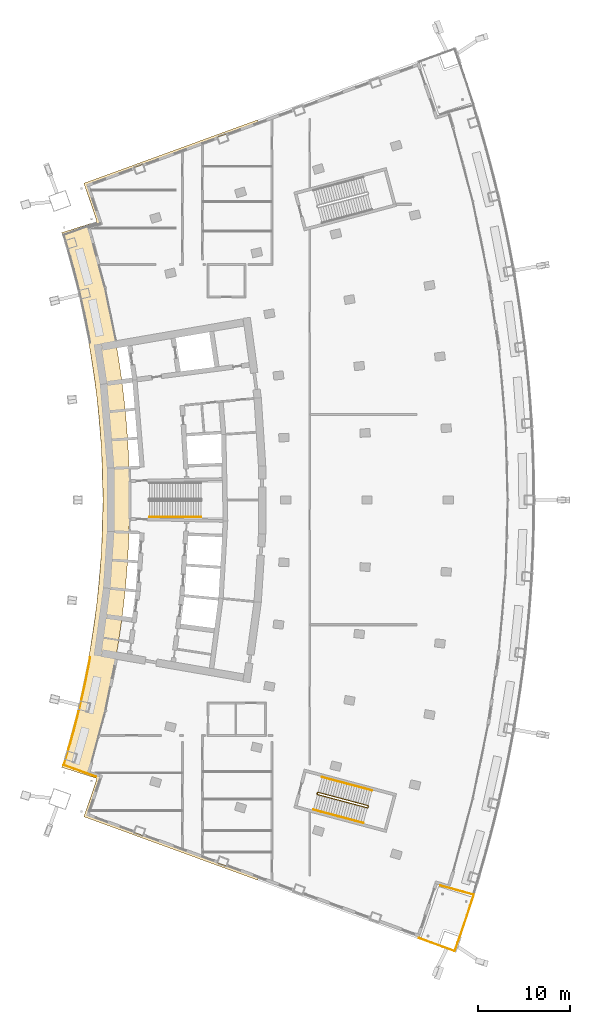
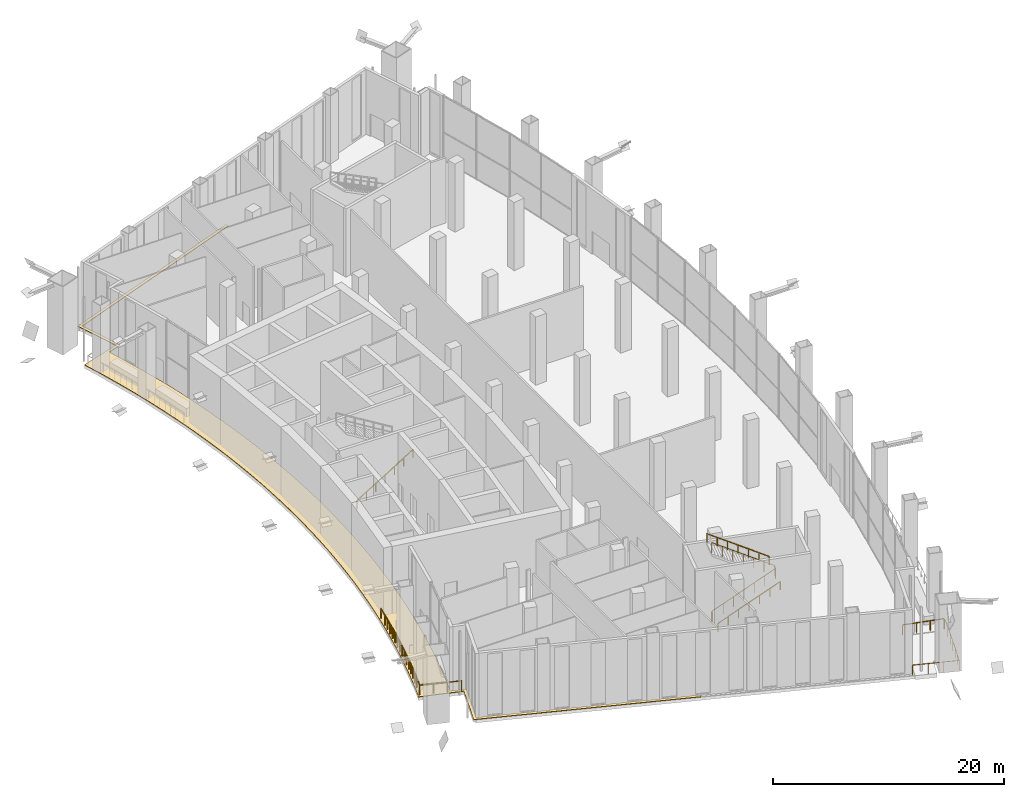
# One storey, part 23 of 27: 8 railings, 1 covering.
"""IFC4 building model written with IfcOpenShell, lengths in metres."""

from ifc_helpers import new_model, si_unit, direction, frame, origin, origin_with_axes, origin_2d, place, context, subcontext, project, spatial, polyline, rectangle, outline, extrude, material, layer, layer_set, type_object, element, save


model = new_model("IFC4")

# Units and contexts
model_context = context("Model", 3, precision=1e-05, world=origin(), true_north=direction((0.0, 1.0)))
body_context = subcontext(model_context, "Body", "Model", "MODEL_VIEW")
ifc_project = project(units=[si_unit("LENGTHUNIT", "METRE"), si_unit("AREAUNIT", "SQUARE_METRE"), si_unit("VOLUMEUNIT", "CUBIC_METRE"), si_unit("PLANEANGLEUNIT", "RADIAN"), si_unit("MASSUNIT", "GRAM", prefix="KILO")], contexts=[model_context])

# Site, building, storey
site_placement = place(None, origin())
site = spatial("IfcSite", under=ifc_project, at=site_placement, CompositionType="ELEMENT")
building_placement = place(site_placement, origin())
building = spatial("IfcBuilding", under=site, at=building_placement, Name="Alderwake Tower", CompositionType="ELEMENT")
storey_placement = place(building_placement, frame((0.0, 0.0, 75.199951171875)))
storey = spatial("IfcBuildingStorey", under=building, at=storey_placement, Name="L18", CompositionType="ELEMENT", Elevation=75.199951171875)

# Railings
ifc_material_1 = material(Name="Stainless steel 316 rail and posts", Category="steel")
railing_type_1 = type_object("IfcRailingType", Name="Balcony guard 1100", PredefinedType="GUARDRAIL", material=ifc_material_1)
railing_1_placement = place(storey_placement, frame((56.12060546875, 18.168701171875, 0.0)))
element("IfcRailing", 1, at=railing_1_placement, inside=storey, type_object=railing_type_1, Name="Guard terrace FS", PredefinedType="GUARDRAIL", context=body_context, shape_type="SweptSolid", body=[
    extrude(rectangle(XDim=0.048095703125, YDim=0.048095703125, at=origin_2d()), frame((0.0, 0.0, 1.076171875), z_axis=(-0.307834534449, -0.951439908455, 0.0), x_axis=(0.951439908455, -0.307834534449, 0.0)), (0.0, 0.0, 1.0), 2.281005859375),
    extrude(rectangle(XDim=0.048095703125, YDim=0.048095703125, at=origin_2d()), frame((-0.7021484375, -2.170166015625, 1.076171875), z_axis=(-0.322274982341, -0.946646098475, 0.0), x_axis=(0.946646098475, -0.322274982341, 0.0)), (0.0, 0.0, 1.0), 2.0810546875),
    extrude(rectangle(XDim=0.048095703125, YDim=0.048095703125, at=origin_2d()), frame((-1.372802734375, -4.14013671875, 1.076171875), z_axis=(-0.335680571726, -0.941975877486, 0.0), x_axis=(0.941975877486, -0.335680571726, 0.0)), (0.0, 0.0, 1.0), 1.981201171875),
    extrude(rectangle(XDim=0.048095703125, YDim=0.048095703125, at=origin_2d()), frame((-2.037841796875, -6.00634765625, 1.076171875), z_axis=(-0.939605522223, 0.34225934992, 0.0), x_axis=(-0.34225934992, -0.939605522223, 0.0)), (0.0, 0.0, 1.0), 4.10009765625),
    extrude(rectangle(XDim=0.0419921875, YDim=0.0419921875, at=origin_2d()), frame((0.0, 0.0, 0.0), z_axis=(0.0, 0.0, 1.0), x_axis=(-0.307834534449, -0.951439908455, 0.0)), (0.0, 0.0, 1.0), 1.052001953125),
    extrude(rectangle(XDim=0.0419921875, YDim=0.0419921875, at=origin_2d()), frame((-0.35107421875, -1.0849609375, 0.0), z_axis=(0.0, 0.0, 1.0), x_axis=(-0.307834534449, -0.951439908455, 0.0)), (0.0, 0.0, 1.0), 1.052001953125),
    extrude(rectangle(XDim=0.0419921875, YDim=0.0419921875, at=origin_2d()), frame((-0.7021484375, -2.170166015625, 0.0), z_axis=(0.0, 0.0, 1.0), x_axis=(-0.322274982341, -0.946646098475, 0.0)), (0.0, 0.0, 1.0), 1.052001953125),
    extrude(rectangle(XDim=0.0419921875, YDim=0.0419921875, at=origin_2d()), frame((-1.03759765625, -3.1552734375, 0.0), z_axis=(0.0, 0.0, 1.0), x_axis=(-0.322274982341, -0.946646098475, 0.0)), (0.0, 0.0, 1.0), 1.052001953125),
    extrude(rectangle(XDim=0.0419921875, YDim=0.0419921875, at=origin_2d()), frame((-1.372802734375, -4.14013671875, 0.0), z_axis=(0.0, 0.0, 1.0), x_axis=(-0.335680571726, -0.941975877486, 0.0)), (0.0, 0.0, 1.0), 1.052001953125),
    extrude(rectangle(XDim=0.0419921875, YDim=0.0419921875, at=origin_2d()), frame((-1.705322265625, -5.0732421875, 0.0), z_axis=(0.0, 0.0, 1.0), x_axis=(-0.335680571726, -0.941975877486, 0.0)), (0.0, 0.0, 1.0), 1.052001953125),
    extrude(rectangle(XDim=0.0419921875, YDim=0.0419921875, at=origin_2d()), frame((-2.037841796875, -6.00634765625, 0.0), z_axis=(0.0, 0.0, 1.0), x_axis=(-0.939605522223, 0.34225934992, 0.0)), (0.0, 0.0, 1.0), 1.052001953125),
    extrude(rectangle(XDim=0.0419921875, YDim=0.0419921875, at=origin_2d()), frame((-3.322021484375, -5.53857421875, 0.0), z_axis=(0.0, 0.0, 1.0), x_axis=(-0.939605522223, 0.34225934992, 0.0)), (0.0, 0.0, 1.0), 1.052001953125),
    extrude(rectangle(XDim=0.0419921875, YDim=0.0419921875, at=origin_2d()), frame((-4.606201171875, -5.07080078125, 0.0), z_axis=(0.0, 0.0, 1.0), x_axis=(-0.939605522223, 0.34225934992, 0.0)), (0.0, 0.0, 1.0), 1.052001953125),
    extrude(rectangle(XDim=0.0419921875, YDim=0.0419921875, at=origin_2d()), frame((-5.890380859375, -4.60302734375, 0.0), z_axis=(0.0, 0.0, 1.0), x_axis=(-0.939605522223, 0.34225934992, 0.0)), (0.0, 0.0, 1.0), 1.052001953125),
])
railing_2_placement = place(storey_placement, frame((56.102783203125, 18.279296875, 0.0)))
element("IfcRailing", 2, at=railing_2_placement, inside=storey, type_object=railing_type_1, Name="Guard garden terrace front end", PredefinedType="GUARDRAIL", context=body_context, shape_type="SweptSolid", body=[
    extrude(rectangle(XDim=0.048095703125, YDim=0.048095703125, at=origin_2d()), frame((0.0, 0.0, 1.076171875), z_axis=(-0.964899114691, 0.262620826419, 0.0), x_axis=(-0.262620826419, -0.964899114691, 0.0)), (0.0, 0.0, 1.0), 3.70263671875),
    extrude(rectangle(XDim=0.0419921875, YDim=0.0419921875, at=origin_2d()), frame((0.0, 0.0, 0.0), z_axis=(0.0, 0.0, 1.0), x_axis=(-0.964899114691, 0.262620826419, 0.0)), (0.0, 0.0, 1.0), 1.052001953125),
    extrude(rectangle(XDim=0.0419921875, YDim=0.0419921875, at=origin_2d()), frame((-1.19091796875, 0.32421875, 0.0), z_axis=(0.0, 0.0, 1.0), x_axis=(-0.964899114691, 0.262620826419, 0.0)), (0.0, 0.0, 1.0), 1.052001953125),
    extrude(rectangle(XDim=0.0419921875, YDim=0.0419921875, at=origin_2d()), frame((-2.3818359375, 0.648193359375, 0.0), z_axis=(0.0, 0.0, 1.0), x_axis=(-0.964899114691, 0.262620826419, 0.0)), (0.0, 0.0, 1.0), 1.052001953125),
    extrude(rectangle(XDim=0.0419921875, YDim=0.0419921875, at=origin_2d()), frame((-3.57275390625, 0.972412109375, 0.0), z_axis=(0.0, 0.0, 1.0), x_axis=(-0.964899114691, 0.262620826419, 0.0)), (0.0, 0.0, 1.0), 1.052001953125),
])
railing_3_placement = place(storey_placement, frame((11.76611328125, 32.29833984375, 0.0)))
element("IfcRailing", 3, at=railing_3_placement, inside=storey, type_object=railing_type_1, Name="Guard garden terrace rear", PredefinedType="GUARDRAIL", context=body_context, shape_type="SweptSolid", body=[
    extrude(rectangle(XDim=0.048095703125, YDim=0.048095703125, at=origin_2d()), frame((0.0, 0.0, 1.076171875), z_axis=(0.293011807358, 0.95610882265, 0.0), x_axis=(-0.95610882265, 0.293011807358, 0.0)), (0.0, 0.0, 1.0), 1.102294921875),
    extrude(rectangle(XDim=0.048095703125, YDim=0.048095703125, at=origin_2d()), frame((0.322998046875, 1.053955078125, 1.076171875), z_axis=(0.280695326574, 0.959796923125, 0.0), x_axis=(-0.959796923125, 0.280695326574, 0.0)), (0.0, 0.0, 1.0), 1.402099609375),
    extrude(rectangle(XDim=0.048095703125, YDim=0.048095703125, at=origin_2d()), frame((0.716552734375, 2.399658203125, 1.076171875), z_axis=(0.266386460688, 0.963866304817, 0.0), x_axis=(-0.963866304817, 0.266386460688, 0.0)), (0.0, 0.0, 1.0), 1.40234375),
    extrude(rectangle(XDim=0.048095703125, YDim=0.048095703125, at=origin_2d()), frame((1.090087890625, 3.751220703125, 1.076171875), z_axis=(0.252478602314, 0.96760247797, 0.0), x_axis=(-0.96760247797, 0.252478602314, 0.0)), (0.0, 0.0, 1.0), 1.402099609375),
    extrude(rectangle(XDim=0.048095703125, YDim=0.048095703125, at=origin_2d()), frame((1.444091796875, 5.10791015625, 1.076171875), z_axis=(0.238354767213, 0.971178153042, 0.0), x_axis=(-0.971178153042, 0.238354767213, 0.0)), (0.0, 0.0, 1.0), 1.40234375),
    extrude(rectangle(XDim=0.048095703125, YDim=0.048095703125, at=origin_2d()), frame((1.7783203125, 6.4697265625, 1.076171875), z_axis=(0.224096426432, 0.974566976488, 0.0), x_axis=(-0.974566976488, 0.224096426432, 0.0)), (0.0, 0.0, 1.0), 1.402099609375),
    extrude(rectangle(XDim=0.048095703125, YDim=0.048095703125, at=origin_2d()), frame((2.092529296875, 7.836181640625, 1.076171875), z_axis=(0.209957084556, 0.977710602707, 0.0), x_axis=(-0.977710602707, 0.209957084556, 0.0)), (0.0, 0.0, 1.0), 1.40234375),
    extrude(rectangle(XDim=0.048095703125, YDim=0.048095703125, at=origin_2d()), frame((2.386962890625, 9.207275390625, 1.076171875), z_axis=(0.1955468343, 0.980694364007, 0.0), x_axis=(-0.980694364007, 0.1955468343, 0.0)), (0.0, 0.0, 1.0), 1.402099609375),
    extrude(rectangle(XDim=0.048095703125, YDim=0.048095703125, at=origin_2d()), frame((2.6611328125, 10.582275390625, 1.076171875), z_axis=(0.182977626426, 0.983117077579, 0.0), x_axis=(-0.983117077579, 0.182977626426, 0.0)), (0.0, 0.0, 1.0), 1.10205078125),
    extrude(rectangle(XDim=0.0419921875, YDim=0.0419921875, at=origin_2d()), frame((0.0, 0.0, 0.0), z_axis=(0.0, 0.0, 1.0), x_axis=(0.293011807358, 0.95610882265, 0.0)), (0.0, 0.0, 1.0), 1.052001953125),
    extrude(rectangle(XDim=0.0419921875, YDim=0.0419921875, at=origin_2d()), frame((0.322998046875, 1.053955078125, 0.0), z_axis=(0.0, 0.0, 1.0), x_axis=(0.280695326574, 0.959796923125, 0.0)), (0.0, 0.0, 1.0), 1.052001953125),
    extrude(rectangle(XDim=0.0419921875, YDim=0.0419921875, at=origin_2d()), frame((0.519775390625, 1.726806640625, 0.0), z_axis=(0.0, 0.0, 1.0), x_axis=(0.280695326574, 0.959796923125, 0.0)), (0.0, 0.0, 1.0), 1.052001953125),
    extrude(rectangle(XDim=0.0419921875, YDim=0.0419921875, at=origin_2d()), frame((0.716552734375, 2.399658203125, 0.0), z_axis=(0.0, 0.0, 1.0), x_axis=(0.266386460688, 0.963866304817, 0.0)), (0.0, 0.0, 1.0), 1.052001953125),
    extrude(rectangle(XDim=0.0419921875, YDim=0.0419921875, at=origin_2d()), frame((0.9033203125, 3.075439453125, 0.0), z_axis=(0.0, 0.0, 1.0), x_axis=(0.266386460688, 0.963866304817, 0.0)), (0.0, 0.0, 1.0), 1.052001953125),
    extrude(rectangle(XDim=0.0419921875, YDim=0.0419921875, at=origin_2d()), frame((1.090087890625, 3.751220703125, 0.0), z_axis=(0.0, 0.0, 1.0), x_axis=(0.252478602314, 0.96760247797, 0.0)), (0.0, 0.0, 1.0), 1.052001953125),
    extrude(rectangle(XDim=0.0419921875, YDim=0.0419921875, at=origin_2d()), frame((1.26708984375, 4.4296875, 0.0), z_axis=(0.0, 0.0, 1.0), x_axis=(0.252478602314, 0.96760247797, 0.0)), (0.0, 0.0, 1.0), 1.052001953125),
    extrude(rectangle(XDim=0.0419921875, YDim=0.0419921875, at=origin_2d()), frame((1.444091796875, 5.10791015625, 0.0), z_axis=(0.0, 0.0, 1.0), x_axis=(0.238354767213, 0.971178153042, 0.0)), (0.0, 0.0, 1.0), 1.052001953125),
    extrude(rectangle(XDim=0.0419921875, YDim=0.0419921875, at=origin_2d()), frame((1.611328125, 5.788818359375, 0.0), z_axis=(0.0, 0.0, 1.0), x_axis=(0.238354767213, 0.971178153042, 0.0)), (0.0, 0.0, 1.0), 1.052001953125),
    extrude(rectangle(XDim=0.0419921875, YDim=0.0419921875, at=origin_2d()), frame((1.7783203125, 6.4697265625, 0.0), z_axis=(0.0, 0.0, 1.0), x_axis=(0.224096426432, 0.974566976488, 0.0)), (0.0, 0.0, 1.0), 1.052001953125),
    extrude(rectangle(XDim=0.0419921875, YDim=0.0419921875, at=origin_2d()), frame((1.935546875, 7.15283203125, 0.0), z_axis=(0.0, 0.0, 1.0), x_axis=(0.224096426432, 0.974566976488, 0.0)), (0.0, 0.0, 1.0), 1.052001953125),
    extrude(rectangle(XDim=0.0419921875, YDim=0.0419921875, at=origin_2d()), frame((2.092529296875, 7.836181640625, 0.0), z_axis=(0.0, 0.0, 1.0), x_axis=(0.209957084556, 0.977710602707, 0.0)), (0.0, 0.0, 1.0), 1.052001953125),
    extrude(rectangle(XDim=0.0419921875, YDim=0.0419921875, at=origin_2d()), frame((2.23974609375, 8.521728515625, 0.0), z_axis=(0.0, 0.0, 1.0), x_axis=(0.209957084556, 0.977710602707, 0.0)), (0.0, 0.0, 1.0), 1.052001953125),
    extrude(rectangle(XDim=0.0419921875, YDim=0.0419921875, at=origin_2d()), frame((2.386962890625, 9.207275390625, 0.0), z_axis=(0.0, 0.0, 1.0), x_axis=(0.1955468343, 0.980694364007, 0.0)), (0.0, 0.0, 1.0), 1.052001953125),
    extrude(rectangle(XDim=0.0419921875, YDim=0.0419921875, at=origin_2d()), frame((2.52392578125, 9.894775390625, 0.0), z_axis=(0.0, 0.0, 1.0), x_axis=(0.1955468343, 0.980694364007, 0.0)), (0.0, 0.0, 1.0), 1.052001953125),
    extrude(rectangle(XDim=0.0419921875, YDim=0.0419921875, at=origin_2d()), frame((2.6611328125, 10.582275390625, 0.0), z_axis=(0.0, 0.0, 1.0), x_axis=(0.182977626426, 0.983117077579, 0.0)), (0.0, 0.0, 1.0), 1.052001953125),
    extrude(rectangle(XDim=0.0419921875, YDim=0.0419921875, at=origin_2d()), frame((2.86279296875, 11.665771484375, 0.0), z_axis=(0.0, 0.0, 1.0), x_axis=(0.182977626426, 0.983117077579, 0.0)), (0.0, 0.0, 1.0), 1.052001953125),
])
railing_4_placement = place(storey_placement, frame((11.76611328125, 32.29833984375, 0.0)))
element("IfcRailing", 4, at=railing_4_placement, inside=storey, type_object=railing_type_1, Name="Guard garden terrace rear end", PredefinedType="GUARDRAIL", context=body_context, shape_type="SweptSolid", body=[
    extrude(rectangle(XDim=0.048095703125, YDim=0.048095703125, at=origin_2d()), frame((0.0, 0.0, 1.076171875), z_axis=(0.940490122312, -0.33982102618, 0.0), x_axis=(0.33982102618, 0.940490122312, 0.0)), (0.0, 0.0, 1.0), 3.70361328125),
    extrude(rectangle(XDim=0.0419921875, YDim=0.0419921875, at=origin_2d()), frame((0.0, 0.0, 0.0), z_axis=(0.0, 0.0, 1.0), x_axis=(0.940490122312, -0.33982102618, 0.0)), (0.0, 0.0, 1.0), 1.052001953125),
    extrude(rectangle(XDim=0.0419921875, YDim=0.0419921875, at=origin_2d()), frame((1.1611328125, -0.41943359375, 0.0), z_axis=(0.0, 0.0, 1.0), x_axis=(0.940490122312, -0.33982102618, 0.0)), (0.0, 0.0, 1.0), 1.052001953125),
    extrude(rectangle(XDim=0.0419921875, YDim=0.0419921875, at=origin_2d()), frame((2.322021484375, -0.839111328125, 0.0), z_axis=(0.0, 0.0, 1.0), x_axis=(0.940490122312, -0.33982102618, 0.0)), (0.0, 0.0, 1.0), 1.052001953125),
    extrude(rectangle(XDim=0.0419921875, YDim=0.0419921875, at=origin_2d()), frame((3.483154296875, -1.258544921875, 0.0), z_axis=(0.0, 0.0, 1.0), x_axis=(0.940490122312, -0.33982102618, 0.0)), (0.0, 0.0, 1.0), 1.052001953125),
])

# Covering
ifc_material_2 = material(Name="Bronze-grey porcelain paving on pedestals")
ifc_layer = layer(ifc_material_2, 0.06005859375)
ifc_layer_set = layer_set([ifc_layer], Name="Garden terrace paving 60")
covering_type = type_object("IfcCoveringType", Name="Garden terrace paving 60", PredefinedType="FLOORING", material=ifc_layer_set)
covering_placement = place(storey_placement, origin())
element("IfcCovering", 5, at=covering_placement, inside=storey, type_object=covering_type, Name="Garden terrace paving rear", PredefinedType="FLOORING", context=body_context, shape_type="SweptSolid", body=[
    extrude(outline(polyline([(13.3984375, 38.802734375), (13.06494140625, 37.443115234375), (12.71142578125, 36.08837890625), (12.33837890625, 34.739013671875), (11.945556640625, 33.395263671875), (11.533203125, 32.057373046875), (15.34716796875, 30.8515625), (14.897216796875, 29.46435546875), (14.42724609375, 28.083740234375), (13.937255859375, 26.710205078125), (32.724609375, 19.852294921875), (32.724609375, 19.852294921875), (32.825439453125, 20.134765625), (14.31982421875, 26.889892578125), (14.710693359375, 27.985107421875), (15.181884765625, 29.36962890625), (15.7255859375, 31.04638671875), (14.38671875, 31.4697265625), (14.72314453125, 32.561279296875), (15.127685546875, 33.94580078125), (15.51220703125, 35.3359375), (15.876220703125, 36.7314453125), (16.219970703125, 38.132080078125), (16.543212890625, 39.537841796875), (16.845947265625, 40.947998046875), (17.1279296875, 42.3623046875), (17.389404296875, 43.78076171875), (17.630126953125, 45.20263671875), (17.85009765625, 46.628173828125), (18.04931640625, 48.056640625), (18.227783203125, 49.48779296875), (18.385009765625, 50.92138671875), (18.521484375, 52.357421875), (18.63720703125, 53.794921875), (18.731689453125, 55.234130859375), (18.805419921875, 56.674560546875), (18.85791015625, 58.11572265625), (18.889404296875, 59.557861328125), (18.89990234375, 61.0), (18.889404296875, 62.442138671875), (18.85791015625, 63.88427734375), (18.805419921875, 65.325439453125), (18.731689453125, 66.765869140625), (18.63720703125, 68.205078125), (18.521484375, 69.642578125), (18.385009765625, 71.07861328125), (18.227783203125, 72.51220703125), (18.04931640625, 73.943359375), (17.85009765625, 75.371826171875), (17.630126953125, 76.79736328125), (17.389404296875, 78.21923828125), (17.1279296875, 79.6376953125), (16.845947265625, 81.052001953125), (16.543212890625, 82.462158203125), (16.219970703125, 83.867919921875), (15.876220703125, 85.2685546875), (15.51220703125, 86.6640625), (15.127685546875, 88.05419921875), (14.72314453125, 89.438720703125), (14.38671875, 90.5302734375), (15.7255859375, 90.95361328125), (15.181884765625, 92.63037109375), (14.710693359375, 94.014892578125), (14.31982421875, 95.110107421875), (32.825439453125, 101.865234375), (32.724609375, 102.147705078125), (32.724609375, 102.147705078125), (13.937255859375, 95.289794921875), (14.42724609375, 93.916259765625), (14.897216796875, 92.53564453125), (15.34716796875, 91.1484375), (11.533203125, 89.942626953125), (11.945556640625, 88.604736328125), (12.33837890625, 87.260986328125), (12.71142578125, 85.91162109375), (13.06494140625, 84.556884765625), (13.3984375, 83.197265625), (13.71240234375, 81.8330078125), (14.006103515625, 80.464111328125), (14.280029296875, 79.09130859375), (14.53369140625, 77.71435546875), (14.767333984375, 76.333984375), (14.98095703125, 74.950439453125), (15.17431640625, 73.56396484375), (15.347412109375, 72.174560546875), (15.500244140625, 70.782958984375), (15.6328125, 69.389404296875), (15.744873046875, 67.993896484375), (15.836669921875, 66.5966796875), (15.908203125, 65.19873046875), (15.959228515625, 63.799560546875), (15.98974609375, 62.39990234375), (16.0, 61.0), (15.98974609375, 59.60009765625), (15.959228515625, 58.200439453125), (15.908203125, 56.80126953125), (15.836669921875, 55.4033203125), (15.744873046875, 54.006103515625), (15.6328125, 52.610595703125), (15.500244140625, 51.217041015625), (15.347412109375, 49.825439453125), (15.17431640625, 48.43603515625), (14.98095703125, 47.049560546875), (14.767333984375, 45.666015625), (14.53369140625, 44.28564453125), (14.280029296875, 42.90869140625), (14.006103515625, 41.535888671875), (13.71240234375, 40.1669921875), (13.3984375, 38.802734375)])), origin(), (0.0, 0.0, 1.0), 0.06005859375),
])

# Railings
ifc_material_3 = material(Name="Stainless steel guard", Category="steel")
railing_type_2 = type_object("IfcRailingType", Name="Stair guard 1100", PredefinedType="GUARDRAIL", material=ifc_material_3)
railing_5_placement = place(storey_placement, frame((39.1943359375, 29.17431640625, 0.0)))
element("IfcRailing", 6, at=railing_5_placement, inside=storey, type_object=railing_type_2, Name="L18 ST-C stair guard 1", PredefinedType="GUARDRAIL", context=body_context, shape_type="SweptSolid", body=[
    extrude(rectangle(XDim=0.048095703125, YDim=0.048095703125, at=origin_2d()), frame((0.0, 0.0, 1.076171875), z_axis=(0.257459803502, 0.966289009345, 0.0), x_axis=(-0.966289009345, 0.257459803502, 0.0)), (0.0, 0.0, 1.0), 0.14990234375),
    extrude(rectangle(XDim=0.048095703125, YDim=0.048095703125, at=origin_2d()), frame((0.03857421875, 0.144775390625, 1.076171875), z_axis=(-0.01184115736, -0.768764370126, 0.639422497427), x_axis=(0.999881397308, -0.015401016783, 0.0)), (0.0, 0.0, 1.0), 0.26806640625),
    extrude(rectangle(XDim=0.048095703125, YDim=0.048095703125, at=origin_2d()), frame((0.035400390625, -0.061279296875, 1.24755859375), z_axis=(0.824109601868, -0.219514689349, 0.522165361996), x_axis=(0.257391295463, 0.966307260151, 0.0)), (0.0, 0.0, 1.0), 6.56640625),
    extrude(rectangle(XDim=0.048095703125, YDim=0.048095703125, at=origin_2d()), frame((5.44677734375, -1.502685546875, 4.67626953125), z_axis=(0.864402767194, 0.502800015978, 0.0), x_axis=(-0.502800015978, 0.864402767194, 0.0)), (0.0, 0.0, 1.0), 0.07080078125),
    extrude(rectangle(XDim=0.048095703125, YDim=0.048095703125, at=origin_2d()), frame((5.508056640625, -1.467041015625, 4.67626953125), z_axis=(0.257459803502, 0.966289009345, 0.0), x_axis=(-0.966289009345, 0.257459803502, 0.0)), (0.0, 0.0, 1.0), 0.14990234375),
    extrude(rectangle(XDim=0.048095703125, YDim=0.048095703125, at=origin_2d()), frame((5.546630859375, -1.322265625, 4.67626953125), z_axis=(-0.190916771936, 0.330483515558, 0.924300509649), x_axis=(-0.865898279276, -0.500220121494, 0.0)), (0.0, 0.0, 1.0), 0.185302734375),
    extrude(rectangle(XDim=0.048095703125, YDim=0.048095703125, at=origin_2d()), frame((5.51123046875, -1.260986328125, 4.84765625), z_axis=(-0.824125601407, 0.219518951081, 0.522138318094), x_axis=(-0.257391295463, -0.966307260151, 0.0)), (0.0, 0.0, 1.0), 6.566162109375),
    extrude(rectangle(XDim=0.0419921875, YDim=0.0419921875, at=origin_2d()), frame((0.0, 0.0, 0.0), z_axis=(0.0, 0.0, 1.0), x_axis=(0.257459803502, 0.966289009345, 0.0)), (0.0, 0.0, 1.0), 1.052001953125),
    extrude(rectangle(XDim=0.0419921875, YDim=0.0419921875, at=origin_2d()), frame((0.03857421875, 0.144775390625, 0.0), z_axis=(0.0, 0.0, 1.0), x_axis=(-0.015401016783, -0.999881397308, 0.0)), (0.0, 0.0, 1.0), 1.052001953125),
    extrude(rectangle(XDim=0.0419921875, YDim=0.0419921875, at=origin_2d()), frame((0.035400390625, -0.061279296875, 0.17138671875), z_axis=(0.0, 0.0, 1.0), x_axis=(0.966307260151, -0.257391295463, 0.0)), (0.0, 0.0, 1.0), 1.052001953125),
    extrude(rectangle(XDim=0.0419921875, YDim=0.0419921875, at=origin_2d()), frame((0.937255859375, -0.301513671875, 0.742919921875), z_axis=(0.0, 0.0, 1.0), x_axis=(0.966307260151, -0.257391295463, 0.0)), (0.0, 0.0, 1.0), 1.052001953125),
    extrude(rectangle(XDim=0.0419921875, YDim=0.0419921875, at=origin_2d()), frame((1.839111328125, -0.541748046875, 1.314208984375), z_axis=(0.0, 0.0, 1.0), x_axis=(0.966307260151, -0.257391295463, 0.0)), (0.0, 0.0, 1.0), 1.052001953125),
    extrude(rectangle(XDim=0.0419921875, YDim=0.0419921875, at=origin_2d()), frame((2.7412109375, -0.781982421875, 1.8857421875), z_axis=(0.0, 0.0, 1.0), x_axis=(0.966307260151, -0.257391295463, 0.0)), (0.0, 0.0, 1.0), 1.052001953125),
    extrude(rectangle(XDim=0.0419921875, YDim=0.0419921875, at=origin_2d()), frame((3.64306640625, -1.022216796875, 2.457275390625), z_axis=(0.0, 0.0, 1.0), x_axis=(0.966307260151, -0.257391295463, 0.0)), (0.0, 0.0, 1.0), 1.052001953125),
    extrude(rectangle(XDim=0.0419921875, YDim=0.0419921875, at=origin_2d()), frame((4.544921875, -1.262451171875, 3.028564453125), z_axis=(0.0, 0.0, 1.0), x_axis=(0.966307260151, -0.257391295463, 0.0)), (0.0, 0.0, 1.0), 1.052001953125),
    extrude(rectangle(XDim=0.0419921875, YDim=0.0419921875, at=origin_2d()), frame((5.44677734375, -1.502685546875, 3.60009765625), z_axis=(0.0, 0.0, 1.0), x_axis=(0.864402767194, 0.502800015978, 0.0)), (0.0, 0.0, 1.0), 1.052001953125),
    extrude(rectangle(XDim=0.0419921875, YDim=0.0419921875, at=origin_2d()), frame((5.508056640625, -1.467041015625, 3.60009765625), z_axis=(0.0, 0.0, 1.0), x_axis=(0.257459803502, 0.966289009345, 0.0)), (0.0, 0.0, 1.0), 1.052001953125),
    extrude(rectangle(XDim=0.0419921875, YDim=0.0419921875, at=origin_2d()), frame((5.546630859375, -1.322265625, 3.60009765625), z_axis=(0.0, 0.0, 1.0), x_axis=(-0.500220121494, 0.865898279276, 0.0)), (0.0, 0.0, 1.0), 1.052001953125),
    extrude(rectangle(XDim=0.0419921875, YDim=0.0419921875, at=origin_2d()), frame((5.51123046875, -1.260986328125, 3.771484375), z_axis=(0.0, 0.0, 1.0), x_axis=(-0.966307260151, 0.257391295463, 0.0)), (0.0, 0.0, 1.0), 1.052001953125),
    extrude(rectangle(XDim=0.0419921875, YDim=0.0419921875, at=origin_2d()), frame((4.609375, -1.020751953125, 4.3427734375), z_axis=(0.0, 0.0, 1.0), x_axis=(-0.966307260151, 0.257391295463, 0.0)), (0.0, 0.0, 1.0), 1.052001953125),
    extrude(rectangle(XDim=0.0419921875, YDim=0.0419921875, at=origin_2d()), frame((3.70751953125, -0.780517578125, 4.914306640625), z_axis=(0.0, 0.0, 1.0), x_axis=(-0.966307260151, 0.257391295463, 0.0)), (0.0, 0.0, 1.0), 1.052001953125),
    extrude(rectangle(XDim=0.0419921875, YDim=0.0419921875, at=origin_2d()), frame((2.8056640625, -0.540283203125, 5.48583984375), z_axis=(0.0, 0.0, 1.0), x_axis=(-0.966307260151, 0.257391295463, 0.0)), (0.0, 0.0, 1.0), 1.052001953125),
    extrude(rectangle(XDim=0.0419921875, YDim=0.0419921875, at=origin_2d()), frame((1.903564453125, -0.300048828125, 6.05712890625), z_axis=(0.0, 0.0, 1.0), x_axis=(-0.966307260151, 0.257391295463, 0.0)), (0.0, 0.0, 1.0), 1.052001953125),
    extrude(rectangle(XDim=0.0419921875, YDim=0.0419921875, at=origin_2d()), frame((1.001708984375, -0.059814453125, 6.62841796875), z_axis=(0.0, 0.0, 1.0), x_axis=(-0.966307260151, 0.257391295463, 0.0)), (0.0, 0.0, 1.0), 1.052001953125),
    extrude(rectangle(XDim=0.0419921875, YDim=0.0419921875, at=origin_2d()), frame((0.099853515625, 0.180419921875, 7.199951171875), z_axis=(0.0, 0.0, 1.0), x_axis=(-0.966307260151, 0.257391295463, 0.0)), (0.0, 0.0, 1.0), 1.052001953125),
])
ifc_material_4 = material(Name="Stainless steel handrail", Category="steel")
railing_type_3 = type_object("IfcRailingType", Name="Stair handrail 900", PredefinedType="HANDRAIL", material=ifc_material_4)
railing_6_placement = place(storey_placement, frame((21.0400390625, 59.175048828125, 0.17138671875)))
element("IfcRailing", 7, at=railing_6_placement, inside=storey, type_object=railing_type_3, Name="L18 ST-B stair handrail 1", PredefinedType="HANDRAIL", context=body_context, shape_type="SweptSolid", body=[
    extrude(rectangle(XDim=0.048095703125, YDim=0.048095703125, at=origin_2d()), frame((0.0, 0.0, 0.8759765625), z_axis=(0.852835759714, 0.0, 0.522179247915), x_axis=(0.0, 1.0, 0.0)), (0.0, 0.0, 1.0), 6.566162109375),
    extrude(rectangle(XDim=0.0419921875, YDim=0.0419921875, at=origin_2d()), origin_with_axes(), (0.0, 0.0, 1.0), 0.851806640625),
    extrude(rectangle(XDim=0.0419921875, YDim=0.0419921875, at=origin_2d()), frame((0.933349609375, 0.0, 0.571533203125), z_axis=(0.0, 0.0, 1.0), x_axis=(1.0, 0.0, 0.0)), (0.0, 0.0, 1.0), 0.851806640625),
    extrude(rectangle(XDim=0.0419921875, YDim=0.0419921875, at=origin_2d()), frame((1.86669921875, 0.0, 1.142822265625), z_axis=(0.0, 0.0, 1.0), x_axis=(1.0, 0.0, 0.0)), (0.0, 0.0, 1.0), 0.851806640625),
    extrude(rectangle(XDim=0.0419921875, YDim=0.0419921875, at=origin_2d()), frame((2.7998046875, 0.0, 1.71435546875), z_axis=(0.0, 0.0, 1.0), x_axis=(1.0, 0.0, 0.0)), (0.0, 0.0, 1.0), 0.851806640625),
    extrude(rectangle(XDim=0.0419921875, YDim=0.0419921875, at=origin_2d()), frame((3.733154296875, 0.0, 2.285888671875), z_axis=(0.0, 0.0, 1.0), x_axis=(1.0, 0.0, 0.0)), (0.0, 0.0, 1.0), 0.851806640625),
    extrude(rectangle(XDim=0.0419921875, YDim=0.0419921875, at=origin_2d()), frame((4.66650390625, 0.0, 2.857177734375), z_axis=(0.0, 0.0, 1.0), x_axis=(1.0, 0.0, 0.0)), (0.0, 0.0, 1.0), 0.851806640625),
    extrude(rectangle(XDim=0.0419921875, YDim=0.0419921875, at=origin_2d()), frame((5.599853515625, 0.0, 3.4287109375), z_axis=(0.0, 0.0, 1.0), x_axis=(1.0, 0.0, 0.0)), (0.0, 0.0, 1.0), 0.851806640625),
])
railing_7_placement = place(storey_placement, frame((38.792236328125, 27.47021484375, 0.17138671875)))
element("IfcRailing", 8, at=railing_7_placement, inside=storey, type_object=railing_type_3, Name="L18 ST-C stair handrail 1", PredefinedType="HANDRAIL", context=body_context, shape_type="SweptSolid", body=[
    extrude(rectangle(XDim=0.048095703125, YDim=0.048095703125, at=origin_2d()), frame((0.0, 0.0, 0.8759765625), z_axis=(0.824116327519, -0.219479299858, 0.522169623446), x_axis=(0.257350586944, 0.966318102593, 0.0)), (0.0, 0.0, 1.0), 6.566162109375),
    extrude(rectangle(XDim=0.0419921875, YDim=0.0419921875, at=origin_2d()), frame((0.0, 0.0, 0.0), z_axis=(0.0, 0.0, 1.0), x_axis=(0.966318102593, -0.257350586944, 0.0)), (0.0, 0.0, 1.0), 0.851806640625),
    extrude(rectangle(XDim=0.0419921875, YDim=0.0419921875, at=origin_2d()), frame((0.90185546875, -0.240234375, 0.571533203125), z_axis=(0.0, 0.0, 1.0), x_axis=(0.966318102593, -0.257350586944, 0.0)), (0.0, 0.0, 1.0), 0.851806640625),
    extrude(rectangle(XDim=0.0419921875, YDim=0.0419921875, at=origin_2d()), frame((1.8037109375, -0.48046875, 1.142822265625), z_axis=(0.0, 0.0, 1.0), x_axis=(0.966318102593, -0.257350586944, 0.0)), (0.0, 0.0, 1.0), 0.851806640625),
    extrude(rectangle(XDim=0.0419921875, YDim=0.0419921875, at=origin_2d()), frame((2.70556640625, -0.720703125, 1.71435546875), z_axis=(0.0, 0.0, 1.0), x_axis=(0.966318102593, -0.257350586944, 0.0)), (0.0, 0.0, 1.0), 0.851806640625),
    extrude(rectangle(XDim=0.0419921875, YDim=0.0419921875, at=origin_2d()), frame((3.607666015625, -0.960693359375, 2.285888671875), z_axis=(0.0, 0.0, 1.0), x_axis=(0.966318102593, -0.257350586944, 0.0)), (0.0, 0.0, 1.0), 0.851806640625),
    extrude(rectangle(XDim=0.0419921875, YDim=0.0419921875, at=origin_2d()), frame((4.509521484375, -1.200927734375, 2.857177734375), z_axis=(0.0, 0.0, 1.0), x_axis=(0.966318102593, -0.257350586944, 0.0)), (0.0, 0.0, 1.0), 0.851806640625),
    extrude(rectangle(XDim=0.0419921875, YDim=0.0419921875, at=origin_2d()), frame((5.411376953125, -1.441162109375, 3.4287109375), z_axis=(0.0, 0.0, 1.0), x_axis=(0.966318102593, -0.257350586944, 0.0)), (0.0, 0.0, 1.0), 0.851806640625),
])
railing_8_placement = place(storey_placement, frame((45.14306640625, 29.555908203125, 3.771484375)))
element("IfcRailing", 9, at=railing_8_placement, inside=storey, type_object=railing_type_3, Name="L18 ST-C stair handrail 2", PredefinedType="HANDRAIL", context=body_context, shape_type="SweptSolid", body=[
    extrude(rectangle(XDim=0.048095703125, YDim=0.048095703125, at=origin_2d()), frame((0.0, 0.0, 0.8759765625), z_axis=(-0.824125601407, 0.219518951081, 0.522138318094), x_axis=(-0.257391295463, -0.966307260151, 0.0)), (0.0, 0.0, 1.0), 6.566162109375),
    extrude(rectangle(XDim=0.0419921875, YDim=0.0419921875, at=origin_2d()), frame((0.0, 0.0, 0.0), z_axis=(0.0, 0.0, 1.0), x_axis=(-0.966307260151, 0.257391295463, 0.0)), (0.0, 0.0, 1.0), 0.851806640625),
    extrude(rectangle(XDim=0.0419921875, YDim=0.0419921875, at=origin_2d()), frame((-0.90185546875, 0.240234375, 0.5712890625), z_axis=(0.0, 0.0, 1.0), x_axis=(-0.966307260151, 0.257391295463, 0.0)), (0.0, 0.0, 1.0), 0.851806640625),
    extrude(rectangle(XDim=0.0419921875, YDim=0.0419921875, at=origin_2d()), frame((-1.8037109375, 0.48046875, 1.142822265625), z_axis=(0.0, 0.0, 1.0), x_axis=(-0.966307260151, 0.257391295463, 0.0)), (0.0, 0.0, 1.0), 0.851806640625),
    extrude(rectangle(XDim=0.0419921875, YDim=0.0419921875, at=origin_2d()), frame((-2.70556640625, 0.720703125, 1.71435546875), z_axis=(0.0, 0.0, 1.0), x_axis=(-0.966307260151, 0.257391295463, 0.0)), (0.0, 0.0, 1.0), 0.851806640625),
    extrude(rectangle(XDim=0.0419921875, YDim=0.0419921875, at=origin_2d()), frame((-3.607666015625, 0.9609375, 2.28564453125), z_axis=(0.0, 0.0, 1.0), x_axis=(-0.966307260151, 0.257391295463, 0.0)), (0.0, 0.0, 1.0), 0.851806640625),
    extrude(rectangle(XDim=0.0419921875, YDim=0.0419921875, at=origin_2d()), frame((-4.509521484375, 1.201171875, 2.85693359375), z_axis=(0.0, 0.0, 1.0), x_axis=(-0.966307260151, 0.257391295463, 0.0)), (0.0, 0.0, 1.0), 0.851806640625),
    extrude(rectangle(XDim=0.0419921875, YDim=0.0419921875, at=origin_2d()), frame((-5.411376953125, 1.44140625, 3.428466796875), z_axis=(0.0, 0.0, 1.0), x_axis=(-0.966307260151, 0.257391295463, 0.0)), (0.0, 0.0, 1.0), 0.851806640625),
])

save(model, "model.ifc")
